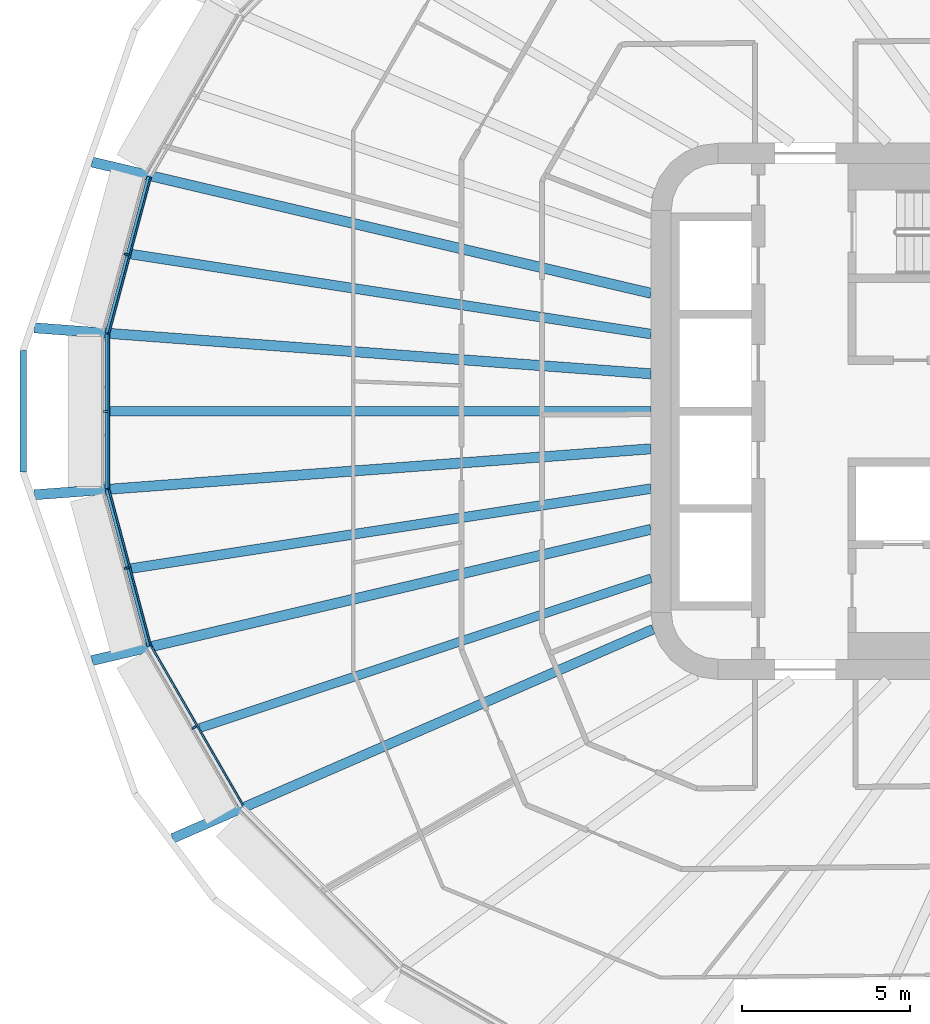
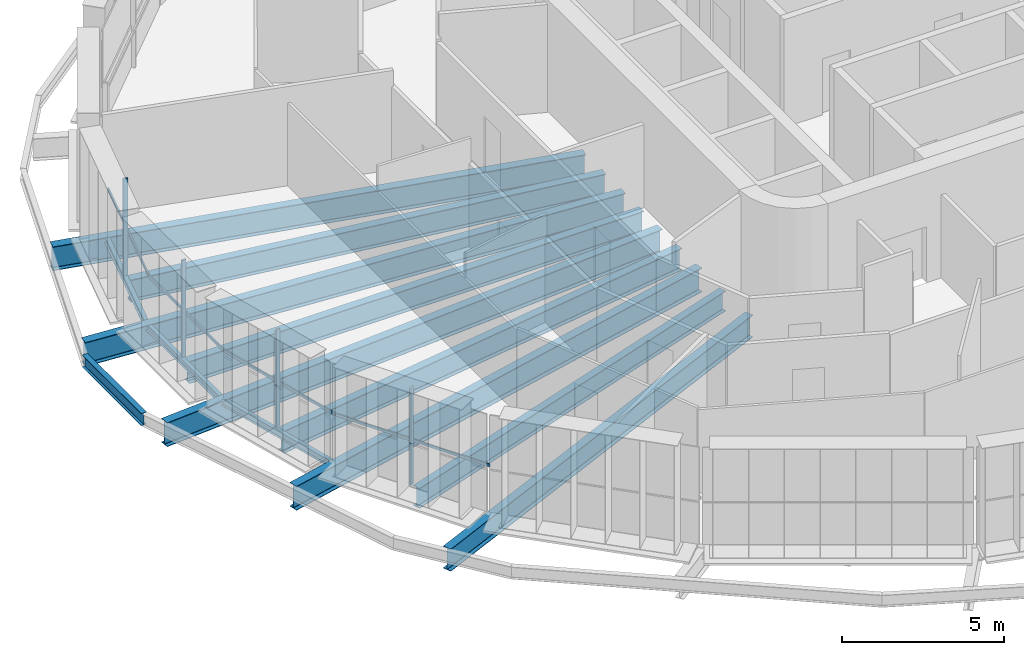
# One storey, part 3 of 28: 13 beams, 8 members, 4 elements without a shape of their own.
"""IFC4 building model written with IfcOpenShell, lengths in metres."""

from ifc_helpers import new_model, si_unit, direction, frame, origin, origin_2d, place, context, subcontext, project, spatial, rectangle, i_section, extrude, material, layer, layer_set, material_profile, profile_set, type_object, element, aggregate, save


model = new_model("IFC4")

# Units and contexts
model_context = context("Model", 3, precision=1e-05, world=origin(), true_north=direction((0.0, 1.0)))
body_context = subcontext(model_context, "Body", "Model", "MODEL_VIEW")
ifc_project = project(units=[si_unit("LENGTHUNIT", "METRE"), si_unit("AREAUNIT", "SQUARE_METRE"), si_unit("VOLUMEUNIT", "CUBIC_METRE"), si_unit("PLANEANGLEUNIT", "RADIAN"), si_unit("MASSUNIT", "GRAM", prefix="KILO")], contexts=[model_context])

# Site, building, storey
site_placement = place(None, origin())
site = spatial("IfcSite", under=ifc_project, at=site_placement, CompositionType="ELEMENT")
building_placement = place(site_placement, origin())
building = spatial("IfcBuilding", under=site, at=building_placement, Name="Sahrelin Media Tower", CompositionType="ELEMENT")
storey_placement = place(building_placement, frame((0.0, 0.0, 75.60009765625)))
storey = spatial("IfcBuildingStorey", under=building, at=storey_placement, Name="L13", CompositionType="ELEMENT", Elevation=75.60009765625)

# Beams
ifc_material_1 = material(Name="Steel S355", Category="steel")
ifc_material_profile_1 = material_profile(ifc_material_1, i_section(OverallWidth=0.14599609375, OverallDepth=0.25146484375, WebThickness=0.006103515625, FlangeThickness=0.008544921875, FilletRadius=0.007568359375, at=origin_2d()), Name="UB 254x146x31")
ifc_profile_set_1 = profile_set([ifc_material_profile_1], Name="Steel S355")
beam_type_1 = type_object("IfcBeamType", Name="Edge beam EB1", PredefinedType="BEAM", material=ifc_profile_set_1)
beam_1_placement = place(storey_placement, frame((-29.968017578125, -6.99609375, -0.27587890625), z_axis=(-0.258843123229, 0.965919374253, 0.0), x_axis=(-0.965919374253, -0.258843123229, 0.0)))
element("IfcBeam", 1, at=beam_1_placement, inside=storey, type_object=beam_type_1, Name="Edge beam L13-11", PredefinedType="BEAM", context=body_context, shape_type="SweptSolid", body=[
    extrude(i_section(OverallWidth=0.14599609375, OverallDepth=0.25146484375, WebThickness=0.006103515625, FlangeThickness=0.008544921875, FilletRadius=0.007568359375, at=origin_2d()), origin(), (0.0, 0.0, 1.0), 4.826416015625),
])
beam_2_placement = place(storey_placement, frame((-31.220947265625, -2.3056640625, -0.27587890625), z_axis=(0.0, 1.0, 0.0), x_axis=(-1.0, 0.0, 0.0)))
element("IfcBeam", 2, at=beam_2_placement, inside=storey, type_object=beam_type_1, Name="Edge beam L13-12", PredefinedType="BEAM", context=body_context, shape_type="SweptSolid", body=[
    extrude(i_section(OverallWidth=0.14599609375, OverallDepth=0.25146484375, WebThickness=0.006103515625, FlangeThickness=0.008544921875, FilletRadius=0.007568359375, at=origin_2d()), origin(), (0.0, 0.0, 1.0), 4.611328125),
])
beam_3_placement = place(storey_placement, frame((-31.21728515625, 2.334228515625, -0.27587890625), z_axis=(0.258843123229, 0.965919374253, 0.0), x_axis=(-0.965919374253, 0.258843123229, 0.0)))
element("IfcBeam", 3, at=beam_3_placement, inside=storey, type_object=beam_type_1, Name="Edge beam L13-13", PredefinedType="BEAM", context=body_context, shape_type="SweptSolid", body=[
    extrude(i_section(OverallWidth=0.14599609375, OverallDepth=0.25146484375, WebThickness=0.006103515625, FlangeThickness=0.008544921875, FilletRadius=0.007568359375, at=origin_2d()), origin(), (0.0, 0.0, 1.0), 4.826416015625),
])

# Curtain wall, member
ifc_material_2 = material(Name="Champagne anodised aluminium 6063-T6", Category="aluminium")
ifc_layer = layer(ifc_material_2, 0.14990234375)
ifc_layer_set = layer_set([ifc_layer], Name="Tower ribbon curtain wall")
curtain_wall_type = type_object("IfcCurtainWallType", Name="Tower ribbon curtain wall", PredefinedType="NOTDEFINED", material=ifc_layer_set)
curtain_wall_1_placement = place(storey_placement, frame((-30.737548828125, 4.7041015625, 0.0), z_axis=(0.0, 0.0, 1.0), x_axis=(1.0, 0.0, 0.0)))
curtain_wall_1 = element("IfcCurtainWall", 4, at=curtain_wall_1_placement, inside=storey, type_object=curtain_wall_type, Name="L13:CW:L13-11", PredefinedType="NOTDEFINED")
ifc_material_profile_2 = material_profile(ifc_material_2, rectangle(XDim=0.06005859375, YDim=0.14990234375, at=origin_2d()), Name="Mullion 60x150")
ifc_profile_set_2 = profile_set([ifc_material_profile_2], Name="Champagne anodised aluminium 6063-T6")
member_type_1 = type_object("IfcMemberType", Name="Mullion 60x150 CW1", PredefinedType="MULLION", material=ifc_profile_set_2)
member_1_placement = place(storey_placement, frame((-30.645751953125, 4.679443359375, 0.0), z_axis=(0.0, 0.0, 1.0), x_axis=(-0.258820730961, -0.965925374563, 0.0)))
member_1 = element("IfcMember", 5, at=member_1_placement, type_object=member_type_1, Name="L13:CWM:L13-11", PredefinedType="MULLION", context=body_context, shape_type="SweptSolid", body=[
    extrude(rectangle(XDim=0.06005859375, YDim=0.14990234375, at=origin_2d()), origin(), (0.0, 0.0, 1.0), 3.6484375),
])

curtain_wall_2_placement = place(storey_placement, frame((-31.37109375, 0.0, 0.0), z_axis=(0.0, 0.0, 1.0), x_axis=(1.0, 0.0, 0.0)))
curtain_wall_2 = element("IfcCurtainWall", 6, at=curtain_wall_2_placement, inside=storey, type_object=curtain_wall_type, Name="L13:CW:L13-12", PredefinedType="NOTDEFINED")
member_2_placement = place(storey_placement, frame((-31.27587890625, 0.0, 0.0), z_axis=(0.0, 0.0, 1.0), x_axis=(0.0, -1.0, 0.0)))
member_2 = element("IfcMember", 7, at=member_2_placement, type_object=member_type_1, Name="L13:CWM:L13-12", PredefinedType="MULLION", context=body_context, shape_type="SweptSolid", body=[
    extrude(rectangle(XDim=0.06005859375, YDim=0.14990234375, at=origin_2d()), origin(), (0.0, 0.0, 1.0), 3.6484375),
])

curtain_wall_3_placement = place(storey_placement, frame((-30.737548828125, -4.7041015625, 0.0), z_axis=(0.0, 0.0, 1.0), x_axis=(1.0, 0.0, 0.0)))
curtain_wall_3 = element("IfcCurtainWall", 8, at=curtain_wall_3_placement, inside=storey, type_object=curtain_wall_type, Name="L13:CW:L13-13", PredefinedType="NOTDEFINED")
member_3_placement = place(storey_placement, frame((-30.645751953125, -4.679443359375, 0.0), z_axis=(0.0, 0.0, 1.0), x_axis=(0.258820730961, -0.965925374563, 0.0)))
member_3 = element("IfcMember", 9, at=member_3_placement, type_object=member_type_1, Name="L13:CWM:L13-13", PredefinedType="MULLION", context=body_context, shape_type="SweptSolid", body=[
    extrude(rectangle(XDim=0.06005859375, YDim=0.14990234375, at=origin_2d()), origin(), (0.0, 0.0, 1.0), 3.6484375),
])

curtain_wall_4_placement = place(storey_placement, frame((-28.711181640625, -9.48046875, 0.0), z_axis=(0.0, 0.0, 1.0), x_axis=(1.0, 0.0, 0.0)))
curtain_wall_4 = element("IfcCurtainWall", 10, at=curtain_wall_4_placement, inside=storey, type_object=curtain_wall_type, Name="L13:CW:L13-14", PredefinedType="NOTDEFINED")
member_4_placement = place(storey_placement, frame((-28.62890625, -9.43310546875, 0.0), z_axis=(0.0, 0.0, 1.0), x_axis=(0.5, -0.866025403784, 0.0)))
member_4 = element("IfcMember", 11, at=member_4_placement, type_object=member_type_1, Name="L13:CWM:L13-14", PredefinedType="MULLION", context=body_context, shape_type="SweptSolid", body=[
    extrude(rectangle(XDim=0.06005859375, YDim=0.14990234375, at=origin_2d()), origin(), (0.0, 0.0, 1.0), 3.6484375),
])

# Beams
ifc_material_profile_3 = material_profile(ifc_material_1, i_section(OverallWidth=0.291748046875, OverallDepth=0.8349609375, WebThickness=0.013916015625, FlangeThickness=0.018798828125, FilletRadius=0.017822265625, at=origin_2d()), Name="UB 838x292x176")
ifc_profile_set_3 = profile_set([ifc_material_profile_3], Name="Steel S355")
beam_type_2 = type_object("IfcBeamType", Name="Radial primary beam PB10", PredefinedType="BEAM", material=ifc_profile_set_3)
beam_4_placement = place(storey_placement, frame((-14.93408203125, -6.50146484375, -0.567626953125), z_axis=(-0.916883824537, -0.399154171095, 0.0), x_axis=(0.399154171095, -0.916883824537, 0.0)))
element("IfcBeam", 12, at=beam_4_placement, inside=storey, type_object=beam_type_2, Name="Radial beam L13-15", PredefinedType="BEAM", context=body_context, shape_type="SweptSolid", body=[
    extrude(i_section(OverallWidth=0.291748046875, OverallDepth=0.8349609375, WebThickness=0.013916015625, FlangeThickness=0.018798828125, FilletRadius=0.017822265625, at=origin_2d()), origin(), (0.0, 0.0, 1.0), 15.6396484375),
])
ifc_material_profile_4 = material_profile(ifc_material_1, i_section(OverallWidth=0.30322265625, OverallDepth=0.903076171875, WebThickness=0.01513671875, FlangeThickness=0.020263671875, FilletRadius=0.01904296875, at=origin_2d()), Name="UB 914x305x201")
ifc_profile_set_4 = profile_set([ifc_material_profile_4], Name="Steel S355")
beam_type_3 = type_object("IfcBeamType", Name="Radial primary beam PB11", PredefinedType="BEAM", material=ifc_profile_set_4)
beam_5_placement = place(storey_placement, frame((-15.0, 3.521728515625, -0.6015625), z_axis=(-0.973524160463, 0.228584139859, 0.0), x_axis=(-0.228584139859, -0.973524160463, 0.0)))
element("IfcBeam", 13, at=beam_5_placement, inside=storey, type_object=beam_type_3, Name="Radial beam L13-11", PredefinedType="BEAM", context=body_context, shape_type="SweptSolid", body=[
    extrude(i_section(OverallWidth=0.30322265625, OverallDepth=0.903076171875, WebThickness=0.01513671875, FlangeThickness=0.020263671875, FilletRadius=0.01904296875, at=origin_2d()), origin(), (0.0, 0.0, 1.0), 17.130615234375),
])
for number, where, z_axis, x_axis, name in (
    (14, (-15.0, 1.118896484375, -0.6015625), (-0.997229894018, 0.074381035738, 0.0), (-0.074381035738, -0.997229894018, 0.0), "Radial beam L13-12"),
    (15, (-15.0, -1.118896484375, -0.6015625), (-0.997229894018, -0.074381035738, 0.0), (0.074381035738, -0.997229894018, 0.0), "Radial beam L13-13"),
):
    element("IfcBeam", number, at=place(storey_placement, frame(where, z_axis=z_axis, x_axis=x_axis)), inside=storey, type_object=beam_type_3, Name=name, PredefinedType="BEAM", context=body_context, shape_type="SweptSolid", body=[
        extrude(i_section(OverallWidth=0.30322265625, OverallDepth=0.903076171875, WebThickness=0.01513671875, FlangeThickness=0.020263671875, FilletRadius=0.01904296875, at=origin_2d()), origin(), (0.0, 0.0, 1.0), 18.44970703125),
    ])
beam_6_placement = place(storey_placement, frame((-15.0, -3.521728515625, -0.6015625), z_axis=(-0.973524160463, -0.228584139859, 0.0), x_axis=(0.228584139859, -0.973524160463, 0.0)))
element("IfcBeam", 16, at=beam_6_placement, inside=storey, type_object=beam_type_3, Name="Radial beam L13-14", PredefinedType="BEAM", context=body_context, shape_type="SweptSolid", body=[
    extrude(i_section(OverallWidth=0.30322265625, OverallDepth=0.903076171875, WebThickness=0.01513671875, FlangeThickness=0.020263671875, FilletRadius=0.01904296875, at=origin_2d()), origin(), (0.0, 0.0, 1.0), 17.130615234375),
])
ifc_material_profile_5 = material_profile(ifc_material_1, i_section(OverallWidth=0.291748046875, OverallDepth=0.8349609375, WebThickness=0.013916015625, FlangeThickness=0.018798828125, FilletRadius=0.017822265625, at=origin_2d()), Name="UB 838x292x176")
ifc_profile_set_5 = profile_set([ifc_material_profile_5], Name="Steel S355")
beam_type_4 = type_object("IfcBeamType", Name="Radial secondary beam SB10", PredefinedType="BEAM", material=ifc_profile_set_5)
beam_7_placement = place(storey_placement, frame((-15.0, 2.305908203125, -0.567626953125), z_axis=(-0.988390036127, 0.151937936295, 0.0), x_axis=(-0.151937936295, -0.988390036127, 0.0)))
element("IfcBeam", 17, at=beam_7_placement, inside=storey, type_object=beam_type_4, Name="Secondary beam L13-08", PredefinedType="BEAM", context=body_context, shape_type="SweptSolid", body=[
    extrude(i_section(OverallWidth=0.291748046875, OverallDepth=0.8349609375, WebThickness=0.013916015625, FlangeThickness=0.018798828125, FilletRadius=0.017822265625, at=origin_2d()), origin(), (0.0, 0.0, 1.0), 15.6923828125),
])
beam_8_placement = place(storey_placement, frame((-15.0, 0.0, -0.567626953125), z_axis=(-1.0, 0.0, 0.0), x_axis=(0.0, -1.0, 0.0)))
element("IfcBeam", 18, at=beam_8_placement, inside=storey, type_object=beam_type_4, Name="Secondary beam L13-09", PredefinedType="BEAM", context=body_context, shape_type="SweptSolid", body=[
    extrude(i_section(OverallWidth=0.291748046875, OverallDepth=0.8349609375, WebThickness=0.013916015625, FlangeThickness=0.018798828125, FilletRadius=0.017822265625, at=origin_2d()), origin(), (0.0, 0.0, 1.0), 16.14794921875),
])
beam_9_placement = place(storey_placement, frame((-15.0, -2.305908203125, -0.567626953125), z_axis=(-0.988390036127, -0.151937936295, 0.0), x_axis=(0.151937936295, -0.988390036127, 0.0)))
element("IfcBeam", 19, at=beam_9_placement, inside=storey, type_object=beam_type_4, Name="Secondary beam L13-10", PredefinedType="BEAM", context=body_context, shape_type="SweptSolid", body=[
    extrude(i_section(OverallWidth=0.291748046875, OverallDepth=0.8349609375, WebThickness=0.013916015625, FlangeThickness=0.018798828125, FilletRadius=0.017822265625, at=origin_2d()), origin(), (0.0, 0.0, 1.0), 15.6923828125),
])
ifc_material_profile_6 = material_profile(ifc_material_1, i_section(OverallWidth=0.26513671875, OverallDepth=0.75390625, WebThickness=0.0126953125, FlangeThickness=0.017578125, FilletRadius=0.0166015625, at=origin_2d()), Name="UB 762x267x147")
ifc_profile_set_6 = profile_set([ifc_material_profile_6], Name="Steel S355")
beam_type_5 = type_object("IfcBeamType", Name="Radial secondary beam SB9", PredefinedType="BEAM", material=ifc_profile_set_6)
beam_10_placement = place(storey_placement, frame((-15.0, -4.98095703125, -0.527099609375), z_axis=(-0.949047598581, -0.315132758733, 0.0), x_axis=(0.315132758733, -0.949047598581, 0.0)))
element("IfcBeam", 20, at=beam_10_placement, inside=storey, type_object=beam_type_5, Name="Secondary beam L13-11", PredefinedType="BEAM", context=body_context, shape_type="SweptSolid", body=[
    extrude(i_section(OverallWidth=0.26513671875, OverallDepth=0.75390625, WebThickness=0.0126953125, FlangeThickness=0.017578125, FilletRadius=0.0166015625, at=origin_2d()), origin(), (0.0, 0.0, 1.0), 14.182861328125),
])
ifc_material_profile_7 = material_profile(ifc_material_1, i_section(OverallWidth=0.1904296875, OverallDepth=0.45703125, WebThickness=0.009033203125, FlangeThickness=0.014404296875, FilletRadius=0.01025390625, at=origin_2d()), Name="UB 457x191x74")
ifc_profile_set_7 = profile_set([ifc_material_profile_7], Name="Steel S355")
beam_type_6 = type_object("IfcBeamType", Name="Tie chord TC5", PredefinedType="BEAM", material=ifc_profile_set_7)
beam_11_placement = place(storey_placement, frame((-33.73388671875, 1.818115234375, -0.378662109375), z_axis=(0.0, -1.0, 0.0), x_axis=(1.0, 0.0, 0.0)))
element("IfcBeam", 21, at=beam_11_placement, inside=storey, type_object=beam_type_6, Name="Tie chord L13-12", PredefinedType="BEAM", context=body_context, shape_type="SweptSolid", body=[
    extrude(i_section(OverallWidth=0.1904296875, OverallDepth=0.45703125, WebThickness=0.009033203125, FlangeThickness=0.014404296875, FilletRadius=0.01025390625, at=origin_2d()), origin(), (0.0, 0.0, 1.0), 3.63623046875),
])

# Member
ifc_material_profile_8 = material_profile(ifc_material_2, rectangle(XDim=0.050048828125, YDim=0.10009765625, at=origin_2d()), Name="Transom 50x100")
ifc_profile_set_8 = profile_set([ifc_material_profile_8], Name="Champagne anodised aluminium 6063-T6")
member_type_2 = type_object("IfcMemberType", Name="Transom 50x100 CW1", PredefinedType="USERDEFINED", material=ifc_profile_set_8)
member_5_placement = place(storey_placement, frame((-29.9287109375, 6.96923828125, 1.599853515625), z_axis=(-0.258819226562, -0.965925777667, 0.0), x_axis=(0.965925777667, -0.258819226562, 0.0)))
member_5 = element("IfcMember", 22, at=member_5_placement, type_object=member_type_2, Name="L13:CWT:L13-11", ObjectType="TRANSOM", PredefinedType="USERDEFINED", context=body_context, shape_type="SweptSolid", body=[
    extrude(rectangle(XDim=0.050048828125, YDim=0.10009765625, at=origin_2d()), origin(), (0.0, 0.0, 1.0), 4.794677734375),
])

aggregate(curtain_wall_1, [member_1, member_5])

member_6_placement = place(storey_placement, frame((-31.176025390625, 2.2900390625, 1.599853515625), z_axis=(0.0, -1.0, 0.0), x_axis=(1.0, 0.0, 0.0)))
member_6 = element("IfcMember", 23, at=member_6_placement, type_object=member_type_2, Name="L13:CWT:L13-12", ObjectType="TRANSOM", PredefinedType="USERDEFINED", context=body_context, shape_type="SweptSolid", body=[
    extrude(rectangle(XDim=0.050048828125, YDim=0.10009765625, at=origin_2d()), origin(), (0.0, 0.0, 1.0), 4.580078125),
])

aggregate(curtain_wall_2, [member_2, member_6])

member_7_placement = place(storey_placement, frame((-31.169677734375, -2.337890625, 1.599853515625), z_axis=(0.258819226562, -0.965925777667, 0.0), x_axis=(0.965925777667, 0.258819226562, 0.0)))
member_7 = element("IfcMember", 24, at=member_7_placement, type_object=member_type_2, Name="L13:CWT:L13-13", ObjectType="TRANSOM", PredefinedType="USERDEFINED", context=body_context, shape_type="SweptSolid", body=[
    extrude(rectangle(XDim=0.050048828125, YDim=0.10009765625, at=origin_2d()), origin(), (0.0, 0.0, 1.0), 4.794677734375),
])

aggregate(curtain_wall_3, [member_3, member_7])

member_8_placement = place(storey_placement, frame((-29.91015625, -7.013916015625, 1.599853515625), z_axis=(0.499992837287, -0.866029539139, 0.0), x_axis=(0.866029539139, 0.499992837287, 0.0)))
member_8 = element("IfcMember", 25, at=member_8_placement, type_object=member_type_2, Name="L13:CWT:L13-14", ObjectType="TRANSOM", PredefinedType="USERDEFINED", context=body_context, shape_type="SweptSolid", body=[
    extrude(rectangle(XDim=0.050048828125, YDim=0.10009765625, at=origin_2d()), origin(), (0.0, 0.0, 1.0), 5.47119140625),
])

aggregate(curtain_wall_4, [member_4, member_8])

save(model, "model.ifc")
